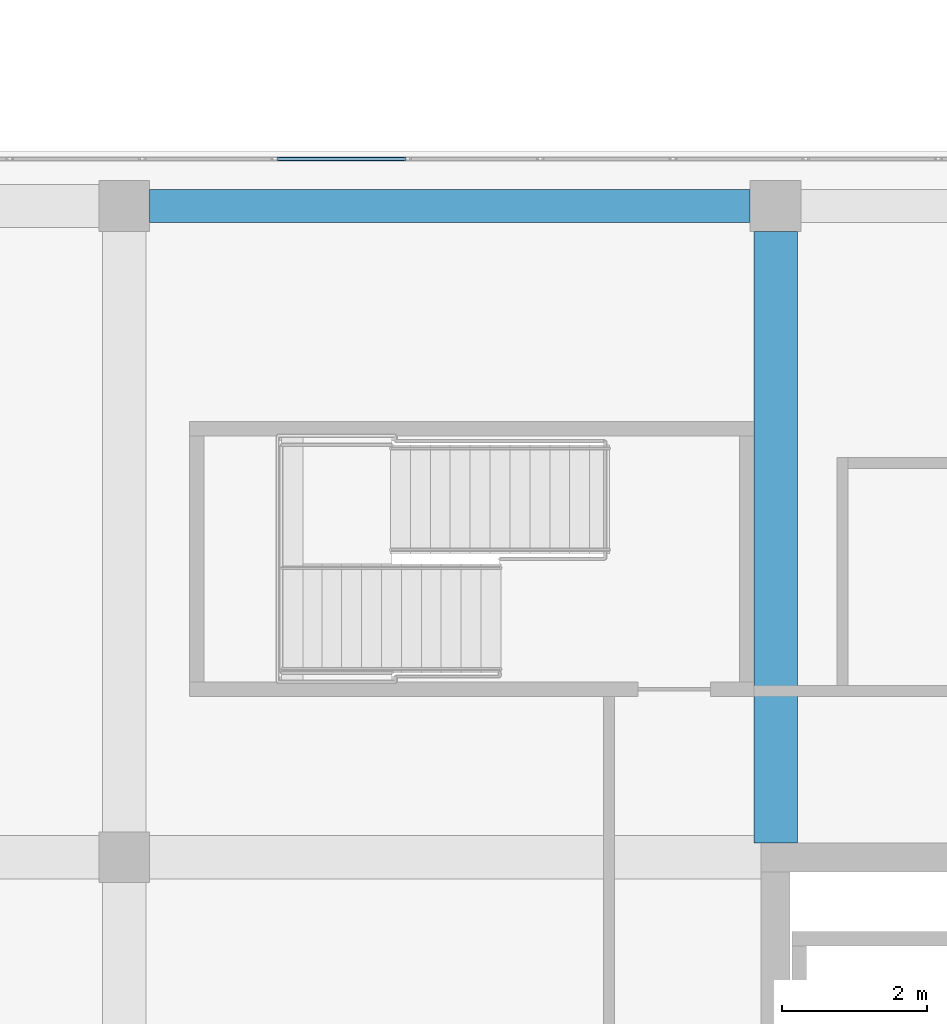
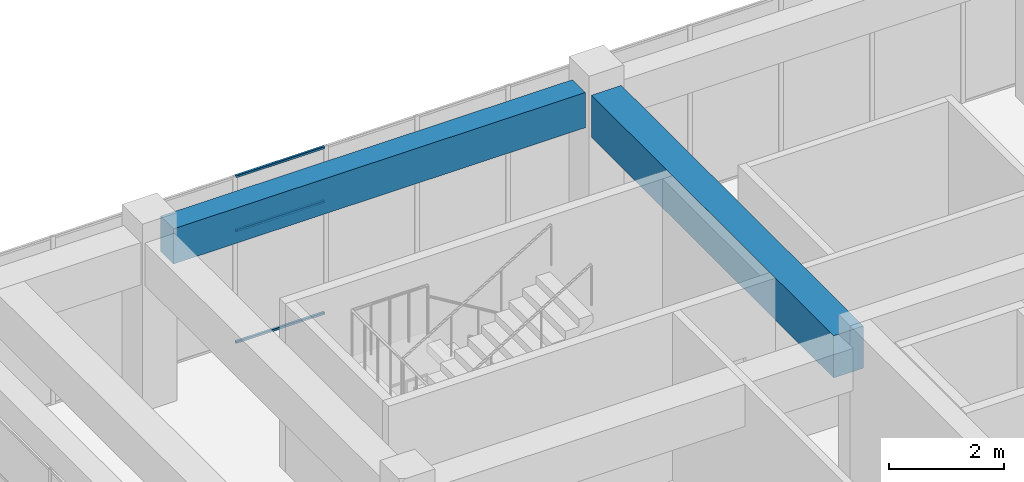
# One storey, part 20 of 32: 3 members, 2 beams, 1 element without a shape of its own.
"""IFC4 building model written with IfcOpenShell, lengths in metres."""

import ifcopenshell
import ifcopenshell.guid

model = None  # the IFC model being written
_history = None  # IfcOwnerHistory: only IFC2X3 demands one
_inside = {}  # id of a spatial element -> (the spatial element, [elements in it])
_under = {}  # id of a project, library or spatial element -> (it, [spatial elements below it])
_declared = {}  # id of a project -> (the project, [libraries it declares])
_typed = {}  # id of a type object -> (the type object, [elements of that type])
_made_of = {}  # id of a material, layer set ... -> (it, [elements and type objects made of it])


def new_model(schema):
    """Start an empty IFC model of exactly this schema.

    Asked for "IFC4X3", IfcOpenShell would pick the latest addendum, in which some entities
    have other attributes; the version numbers below select the first issue.
    IFC2X3 requires an IfcOwnerHistory on every rooted entity: one is made here for all.
    """
    global model, _history
    if schema == "IFC4X3":
        model = ifcopenshell.file(schema_version=(4, 3, 0, 0))
    else:
        model = ifcopenshell.file(schema=schema)
    _inside.clear()
    _under.clear()
    _declared.clear()
    _typed.clear()
    _made_of.clear()
    _history = None
    if model.schema == "IFC2X3":
        org = make("IfcOrganization", Name="unknown")
        user = make(
            "IfcPersonAndOrganization",
            ThePerson=make("IfcPerson", FamilyName="unknown"),
            TheOrganization=org,
        )
        app = make(
            "IfcApplication",
            ApplicationDeveloper=org,
            Version="unknown",
            ApplicationFullName="unknown",
            ApplicationIdentifier="unknown",
        )
        _history = make(
            "IfcOwnerHistory",
            OwningUser=user,
            OwningApplication=app,
            ChangeAction="ADDED",
            CreationDate=0,
        )
    return model


def make(cls, **values):
    """One entity of the class cls with the attributes given. An attribute that is None is left unset."""
    return model.create_entity(
        cls, **{name: value for name, value in values.items() if value is not None}
    )


def rooted(cls, **values):
    """An entity with a GlobalId (a new one), such as an element, a storey or a relation."""
    return make(cls, GlobalId=ifcopenshell.guid.new(), OwnerHistory=_history, **values)


def si_unit(unit_type, name, prefix=None):
    """IfcSIUnit, for example si_unit("LENGTHUNIT", "METRE", prefix="MILLI")."""
    return make("IfcSIUnit", UnitType=unit_type, Prefix=prefix, Name=name)


def assignment(units):
    """IfcUnitAssignment: the units of a project."""
    return None if units is None else make("IfcUnitAssignment", Units=units)


def point(xyz):
    """IfcCartesianPoint."""
    return None if xyz is None else make("IfcCartesianPoint", Coordinates=xyz)


def direction(xyz):
    """IfcDirection."""
    return None if xyz is None else make("IfcDirection", DirectionRatios=xyz)


def frame(location, z_axis=None, x_axis=None):
    """IfcAxis2Placement3D, a coordinate frame: its origin and axes. An axis left out is left unset."""
    return make(
        "IfcAxis2Placement3D",
        Location=point(location),
        Axis=direction(z_axis),
        RefDirection=direction(x_axis),
    )


def frame_2d(location, x_axis=None):
    """IfcAxis2Placement2D, a coordinate frame in the plane: its origin and x axis."""
    return make(
        "IfcAxis2Placement2D", Location=point(location), RefDirection=direction(x_axis)
    )


def origin():
    """The frame at (0, 0, 0) with its axes left unset."""
    return frame((0.0, 0.0, 0.0))


def origin_2d():
    """The frame at (0, 0) in the plane with its x axis left unset."""
    return frame_2d((0.0, 0.0))


def place(relative_to, where):
    """IfcLocalPlacement: puts the frame where relative to a parent placement (None: the world)."""
    return make(
        "IfcLocalPlacement", PlacementRelTo=relative_to, RelativePlacement=where
    )


def context(
    kind, dimensions, precision=None, world=None, true_north=None, identifier=None
):
    """IfcGeometricRepresentationContext, for example the 3D "Model" context."""
    return make(
        "IfcGeometricRepresentationContext",
        ContextIdentifier=identifier,
        ContextType=kind,
        CoordinateSpaceDimension=dimensions,
        Precision=precision,
        WorldCoordinateSystem=world,
        TrueNorth=true_north,
    )


def subcontext(parent, identifier, kind, view, scale=None):
    """IfcGeometricRepresentationSubContext, for example "Body" below "Model"."""
    return make(
        "IfcGeometricRepresentationSubContext",
        ContextIdentifier=identifier,
        ContextType=kind,
        ParentContext=parent,
        TargetScale=scale,
        TargetView=view,
    )


def project(units=None, contexts=None):
    """IfcProject with its units and contexts."""
    return rooted(
        "IfcProject",
        Name="project",
        RepresentationContexts=contexts,
        UnitsInContext=assignment(units),
    )


def spatial(cls, under=None, at=None, **own):
    """A site, building, storey or space (cls), placed at a placement, below another one or the project."""
    s = rooted(cls, ObjectPlacement=at, **own)
    if under is not None:
        _under.setdefault(under.id(), (under, []))[1].append(s)
    return s


def profile(cls, at=None, kind="AREA", **sizes):
    """A parametric profile (cls). Its sizes go by their IFC names, for example OverallWidth=200.0."""
    return make(cls, ProfileType=kind, Position=at, **sizes)


def rectangle(**sizes):
    """IfcRectangleProfileDef."""
    return profile("IfcRectangleProfileDef", **sizes)


def hollow_rectangle(**sizes):
    """IfcRectangleHollowProfileDef."""
    return profile("IfcRectangleHollowProfileDef", **sizes)


def extrude(swept, where, along, depth):
    """IfcExtrudedAreaSolid: the profile swept, set in the frame where, extruded along a direction by depth."""
    return make(
        "IfcExtrudedAreaSolid",
        SweptArea=swept,
        Position=where,
        ExtrudedDirection=direction(along),
        Depth=depth,
    )


def shape(context_of_items, identifier, shape_type, items):
    """IfcShapeRepresentation: the items that make up one representation, for example the "Body"."""
    return make(
        "IfcShapeRepresentation",
        ContextOfItems=context_of_items,
        RepresentationIdentifier=identifier,
        RepresentationType=shape_type,
        Items=items,
    )


def material(Name=None, Category=None):
    """IfcMaterial."""
    return make("IfcMaterial", Name=Name, Category=Category)


def layer(
    of_material, thickness, ventilated=None, Name=None, Category=None, Priority=None
):
    """IfcMaterialLayer: one layer of a wall or slab, of a material (None: an air gap)."""
    return make(
        "IfcMaterialLayer",
        Material=of_material,
        LayerThickness=thickness,
        IsVentilated=ventilated,
        Name=Name,
        Category=Category,
        Priority=Priority,
    )


def layer_set(layers, Name=None):
    """IfcMaterialLayerSet."""
    return make("IfcMaterialLayerSet", MaterialLayers=layers, LayerSetName=Name)


def material_profile(
    of_material, cross_section, Name=None, Category=None, Priority=None
):
    """IfcMaterialProfile: a cross section and its material."""
    return make(
        "IfcMaterialProfile",
        Name=Name,
        Material=of_material,
        Profile=cross_section,
        Priority=Priority,
        Category=Category,
    )


def profile_set(profiles, Name=None, composite=None):
    """IfcMaterialProfileSet."""
    return make(
        "IfcMaterialProfileSet",
        Name=Name,
        MaterialProfiles=profiles,
        CompositeProfile=composite,
    )


def made_of(thing, what):
    """Note that an element or type object is made of a material, layer set ...; save() writes the relation."""
    if what is not None:
        _made_of.setdefault(what.id(), (what, []))[1].append(thing)
    return thing


def type_object(cls, material=None, **own):
    """A type object (cls), such as IfcWallType, which elements share."""
    return made_of(rooted(cls, **own), material)


def element(
    cls,
    number,
    at=None,
    inside=None,
    cuts=None,
    type_object=None,
    material=None,
    context=None,
    identifier="Body",
    shape_type=None,
    held_by="IfcProductDefinitionShape",
    body=None,
    shapes=None,
    **own,
):
    """One element of the class cls, such as IfcWall. Its Tag is "e" and its number.

    at: its placement. inside: the storey or other place that contains it. cuts: it is an
    opening in that element (IfcRelVoidsElement). A single representation is given by context,
    identifier, shape_type and body (its items); several are given by shapes. held_by: the class
    of the entity that holds the representations. save() writes the other relations.
    """
    e = rooted(cls, Tag="e%d" % number, ObjectPlacement=at, **own)
    if body is not None:
        shapes = [shape(context, identifier, shape_type, body)]
    if shapes is not None:
        e.Representation = make(held_by, Representations=shapes)
    if inside is not None:
        _inside.setdefault(inside.id(), (inside, []))[1].append(e)
    if cuts is not None:
        rooted(
            "IfcRelVoidsElement", RelatingBuildingElement=cuts, RelatedOpeningElement=e
        )
    if type_object is not None:
        _typed.setdefault(type_object.id(), (type_object, []))[1].append(e)
    return made_of(e, material)


def aggregate(whole, parts):
    """IfcRelAggregates: a whole, such as a stair, and the parts it consists of."""
    return rooted("IfcRelAggregates", RelatingObject=whole, RelatedObjects=parts)


def save(model, path):
    """Write the relations noted so far, then the file.

    IfcRelAggregates (storeys below a building ...), IfcRelContainedInSpatialStructure (elements
    in a storey), IfcRelDefinesByType, IfcRelAssociatesMaterial and IfcRelDeclares: one each for
    every whole, place, type object, material and project.
    """
    for whole, parts in _under.values():
        aggregate(whole, parts)
    for where, things in _inside.values():
        rooted(
            "IfcRelContainedInSpatialStructure",
            RelatedElements=things,
            RelatingStructure=where,
        )
    for kind, things in _typed.values():
        rooted("IfcRelDefinesByType", RelatedObjects=things, RelatingType=kind)
    for what, things in _made_of.values():
        rooted("IfcRelAssociatesMaterial", RelatedObjects=things, RelatingMaterial=what)
    for by, libraries in _declared.values():
        rooted("IfcRelDeclares", RelatingContext=by, RelatedDefinitions=libraries)
    model.write(path)


model = new_model("IFC4")

# Units and contexts
model_context = context("Model", 3, precision=1e-05, world=origin(), true_north=direction((0.0, 1.0)))
body_context = subcontext(model_context, "Body", "Model", "MODEL_VIEW")
ifc_project = project(units=[si_unit("LENGTHUNIT", "METRE"), si_unit("AREAUNIT", "SQUARE_METRE"), si_unit("VOLUMEUNIT", "CUBIC_METRE"), si_unit("PLANEANGLEUNIT", "RADIAN"), si_unit("MASSUNIT", "GRAM", prefix="KILO")], contexts=[model_context])

# Site, building, storey
site_placement = place(None, origin())
site = spatial("IfcSite", under=ifc_project, at=site_placement, CompositionType="ELEMENT")
building_placement = place(site_placement, origin())
building = spatial("IfcBuilding", under=site, at=building_placement, Name="Tuart Plaza Theatre", CompositionType="ELEMENT")
storey_placement = place(building_placement, frame((0.0, 0.0, 37.5)))
storey = spatial("IfcBuildingStorey", under=building, at=storey_placement, Name="L09", CompositionType="ELEMENT", Elevation=37.5)

# Beams
ifc_material_1 = material(Name="Concrete N40 (40 MPa)", Category="concrete")
ifc_material_profile_1 = material_profile(ifc_material_1, rectangle(XDim=0.449951171875, YDim=0.75, at=origin_2d()), Name="BEAM 450x750 Concrete N40 (40 MPa)")
ifc_profile_set_1 = profile_set([ifc_material_profile_1], Name="Concrete N40 (40 MPa)")
beam_type_1 = type_object("IfcBeamType", Name="BEAM 450x750 Concrete N40 (40 MPa)", PredefinedType="BEAM", material=ifc_profile_set_1)
beam_1_placement = place(storey_placement, frame((114.35009765625, 92.0, 3.205078125), z_axis=(1.0, 0.0, 0.0), x_axis=(0.0, 1.0, 0.0)))
element("IfcBeam", 1, at=beam_1_placement, inside=storey, type_object=beam_type_1, Name="RB263", PredefinedType="BEAM", context=body_context, shape_type="SweptSolid", body=[
    extrude(rectangle(XDim=0.449951171875, YDim=0.75, at=origin_2d()), origin(), (0.0, 0.0, 1.0), 8.2998046875),
])
ifc_material_2 = material(Name="Concrete N40 (40 MPa)", Category="concrete")
ifc_material_profile_2 = material_profile(ifc_material_2, rectangle(XDim=0.60009765625, YDim=0.89990234375, at=origin_2d()), Name="BEAM 600x900 Concrete N40 (40 MPa)")
ifc_profile_set_2 = profile_set([ifc_material_profile_2], Name="Concrete N40 (40 MPa)")
beam_type_2 = type_object("IfcBeamType", Name="BEAM 600x900 Concrete N40 (40 MPa)", PredefinedType="BEAM", material=ifc_profile_set_2)
beam_2_placement = place(storey_placement, frame((123.0, 83.199951171875, 3.1298828125), z_axis=(0.0, 1.0, 0.0), x_axis=(-1.0, 0.0, 0.0)))
element("IfcBeam", 2, at=beam_2_placement, inside=storey, type_object=beam_type_2, Name="RB266", PredefinedType="BEAM", context=body_context, shape_type="SweptSolid", body=[
    extrude(rectangle(XDim=0.60009765625, YDim=0.89990234375, at=origin_2d()), origin(), (0.0, 0.0, 1.0), 8.449951171875),
])

# Curtain wall, members
ifc_material_3 = material(Name="Aluminium and glass", Category="aluminium")
ifc_layer = layer(ifc_material_3, 0.10009765625)
ifc_layer_set = layer_set([ifc_layer], Name="CURTAIN WALL 1800 module")
curtain_wall_type = type_object("IfcCurtainWallType", Name="CURTAIN WALL 1800 module", PredefinedType="NOTDEFINED", material=ifc_layer_set)
curtain_wall_placement = place(storey_placement, origin())
curtain_wall = element("IfcCurtainWall", 3, at=curtain_wall_placement, inside=storey, type_object=curtain_wall_type, Name="CW95", PredefinedType="NOTDEFINED")
ifc_material_4 = material(Name="Aluminium 6063-T5", Category="aluminium")
ifc_material_profile_3 = material_profile(ifc_material_4, hollow_rectangle(XDim=0.050048828125, YDim=0.050048828125, WallThickness=0.00390625, InnerFilletRadius=0.00390625, OuterFilletRadius=0.008056640625, at=origin_2d()), Name="RHS 50x50x4")
ifc_profile_set_3 = profile_set([ifc_material_profile_3], Name="Aluminium 6063-T5")
member_type = type_object("IfcMemberType", Name="TRANSOM RHS 50x50x4", PredefinedType="USERDEFINED", material=ifc_profile_set_3)
member_1_placement = place(storey_placement, frame((117.8916015625, 92.64990234375, 0.02490234375), z_axis=(-1.0, 0.0, 0.0), x_axis=(0.0, -1.0, 0.0)))
member_1 = element("IfcMember", 4, at=member_1_placement, type_object=member_type, Name="CW95 transom 14.1", ObjectType="TRANSOM", PredefinedType="USERDEFINED", context=body_context, shape_type="SweptSolid", body=[
    extrude(hollow_rectangle(XDim=0.050048828125, YDim=0.050048828125, WallThickness=0.00390625, InnerFilletRadius=0.00390625, OuterFilletRadius=0.008056640625, at=origin_2d()), origin(), (0.0, 0.0, 1.0), 1.783203125),
])
member_2_placement = place(storey_placement, frame((117.8916015625, 92.64990234375, 2.39990234375), z_axis=(-1.0, 0.0, 0.0), x_axis=(0.0, -1.0, 0.0)))
member_2 = element("IfcMember", 5, at=member_2_placement, type_object=member_type, Name="CW95 transom 14.2", ObjectType="TRANSOM", PredefinedType="USERDEFINED", context=body_context, shape_type="SweptSolid", body=[
    extrude(hollow_rectangle(XDim=0.050048828125, YDim=0.050048828125, WallThickness=0.00390625, InnerFilletRadius=0.00390625, OuterFilletRadius=0.008056640625, at=origin_2d()), origin(), (0.0, 0.0, 1.0), 1.783203125),
])
member_3_placement = place(storey_placement, frame((117.8916015625, 92.64990234375, 3.554931640625), z_axis=(-1.0, 0.0, 0.0), x_axis=(0.0, -1.0, 0.0)))
member_3 = element("IfcMember", 6, at=member_3_placement, type_object=member_type, Name="CW95 transom 14.3", ObjectType="TRANSOM", PredefinedType="USERDEFINED", context=body_context, shape_type="SweptSolid", body=[
    extrude(hollow_rectangle(XDim=0.050048828125, YDim=0.050048828125, WallThickness=0.00390625, InnerFilletRadius=0.00390625, OuterFilletRadius=0.008056640625, at=origin_2d()), origin(), (0.0, 0.0, 1.0), 1.783203125),
])
aggregate(curtain_wall, [member_1, member_2, member_3])

save(model, "model.ifc")
